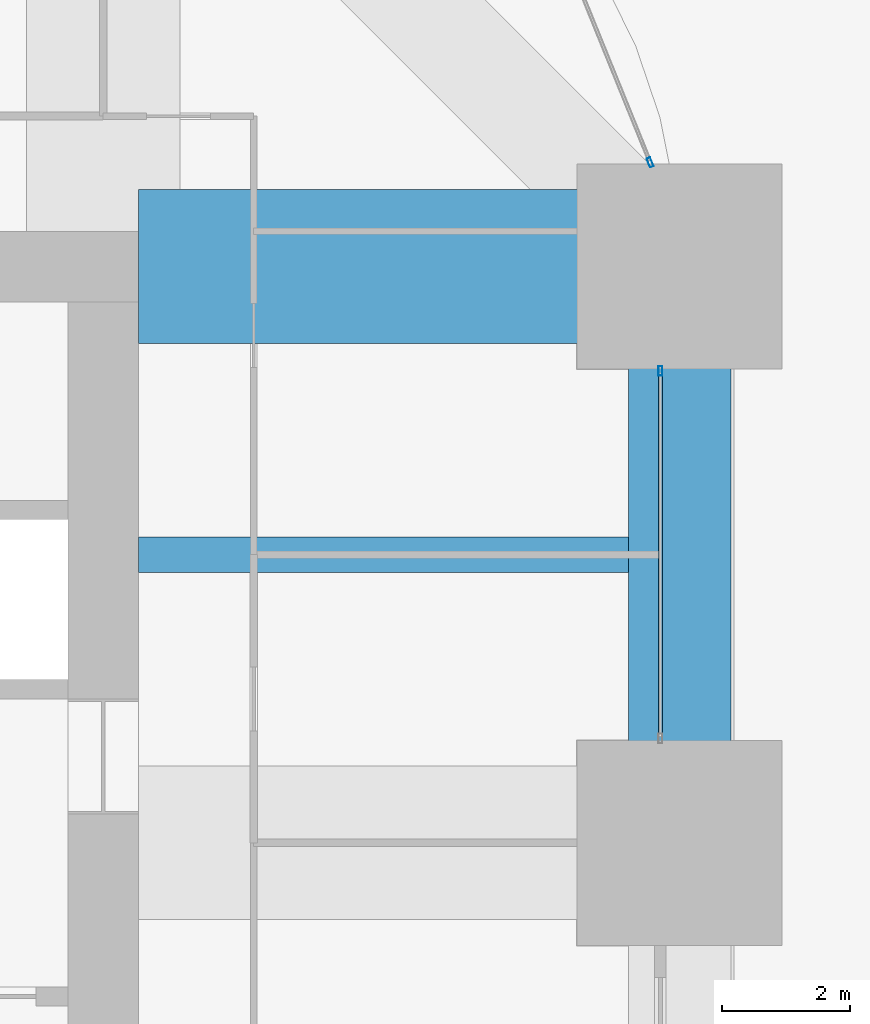
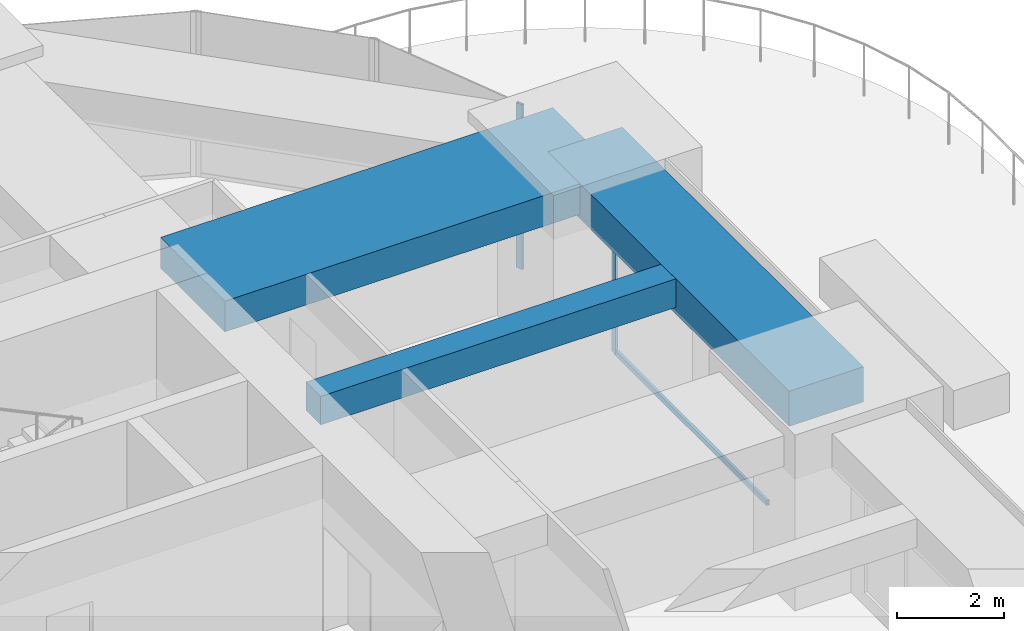
# One storey, part 28 of 35: 3 beams, 3 members, 2 elements without a shape of their own.
"""IFC4 building model written with IfcOpenShell, lengths in metres."""

from ifc_helpers import new_model, si_unit, direction, frame, origin, origin_2d, place, context, subcontext, project, spatial, rectangle, hollow_rectangle, extrude, material, material_profile, profile_set, type_object, element, aggregate, save


model = new_model("IFC4")

# Units and contexts
model_context = context("Model", 3, precision=1e-05, world=origin(), true_north=direction((0.0, 1.0)))
body_context = subcontext(model_context, "Body", "Model", "MODEL_VIEW")
ifc_project = project(units=[si_unit("LENGTHUNIT", "METRE"), si_unit("AREAUNIT", "SQUARE_METRE"), si_unit("VOLUMEUNIT", "CUBIC_METRE"), si_unit("PLANEANGLEUNIT", "RADIAN"), si_unit("MASSUNIT", "GRAM", prefix="KILO")], contexts=[model_context])

# Site, building, storey
site_placement = place(None, origin())
site = spatial("IfcSite", under=ifc_project, at=site_placement, CompositionType="ELEMENT")
building_placement = place(site_placement, origin())
building = spatial("IfcBuilding", under=site, at=building_placement, Name="Zorevar Civic Tower", CompositionType="ELEMENT")
storey_placement = place(building_placement, frame((0.0, 0.0, 162.199951171875)))
storey = spatial("IfcBuildingStorey", under=building, at=storey_placement, Name="L39", CompositionType="ELEMENT", Elevation=162.199951171875)

# Beams
ifc_material_1 = material(Name="Concrete C50/60", Category="concrete")
ifc_material_profile_1 = material_profile(ifc_material_1, rectangle(XDim=2.39990234375, YDim=0.699951171875, at=origin_2d()), Name="RC 2400x700")
ifc_profile_set_1 = profile_set([ifc_material_profile_1], Name="Concrete C50/60")
beam_type_1 = type_object("IfcBeamType", Name="Beam RC 2400x700", PredefinedType="BEAM", material=ifc_profile_set_1)
beam_1_placement = place(storey_placement, frame((45.550048828125, 36.0, 3.400146484375), z_axis=(1.0, 0.0, 0.0), x_axis=(0.0, 1.0, 0.0)))
element("IfcBeam", 1, at=beam_1_placement, inside=storey, type_object=beam_type_1, Name="Girder L40", PredefinedType="BEAM", context=body_context, shape_type="SweptSolid", body=[
    extrude(rectangle(XDim=2.39990234375, YDim=0.699951171875, at=origin_2d()), origin(), (0.0, 0.0, 1.0), 8.449951171875),
])
ifc_material_2 = material(Name="Concrete C50/60", Category="concrete")
ifc_material_profile_2 = material_profile(ifc_material_2, rectangle(XDim=0.550048828125, YDim=0.64990234375, at=origin_2d()), Name="RC 550x650")
ifc_profile_set_2 = profile_set([ifc_material_profile_2], Name="Concrete C50/60")
beam_type_2 = type_object("IfcBeamType", Name="Beam RC 550x650", PredefinedType="BEAM", material=ifc_profile_set_2)
beam_2_placement = place(storey_placement, frame((45.550048828125, 31.5, 3.425048828125), z_axis=(1.0, 0.0, 0.0), x_axis=(0.0, 1.0, 0.0)))
element("IfcBeam", 2, at=beam_2_placement, inside=storey, type_object=beam_type_2, Name="Secondary beam L40", PredefinedType="BEAM", context=body_context, shape_type="SweptSolid", body=[
    extrude(rectangle(XDim=0.550048828125, YDim=0.64990234375, at=origin_2d()), origin(), (0.0, 0.0, 1.0), 7.64990234375),
])

# Curtain wall, member
ifc_material_3 = material(Name="Dark grey solar-control glass in black aluminium frame", Category="aluminium")
curtain_wall_type = type_object("IfcCurtainWallType", Name="Curtain wall CW4 high zone", PredefinedType="NOTDEFINED", material=ifc_material_3)
curtain_wall_1_placement = place(storey_placement, origin())
curtain_wall_1 = element("IfcCurtainWall", 3, at=curtain_wall_1_placement, inside=storey, type_object=curtain_wall_type, Name="CW4 L39", PredefinedType="NOTDEFINED")
ifc_material_4 = material(Name="Aluminium, black anodised", Category="aluminium")
ifc_material_profile_3 = material_profile(ifc_material_4, hollow_rectangle(XDim=0.06005859375, YDim=0.14990234375, WallThickness=0.00390625, at=origin_2d()), Name="AL 150x60x4")
ifc_profile_set_3 = profile_set([ifc_material_profile_3], Name="Aluminium, black anodised")
member_type_1 = type_object("IfcMemberType", Name="CW4 mullion AL 150x60x4", PredefinedType="MULLION", material=ifc_profile_set_3)
member_1_placement = place(storey_placement, frame((53.699951171875, 34.3701171875, 0.0), z_axis=(0.0, 0.0, 1.0), x_axis=(-1.0, 0.0, 0.0)))
member_1 = element("IfcMember", 4, at=member_1_placement, type_object=member_type_1, Name="CW4 mullion 2", PredefinedType="MULLION", context=body_context, shape_type="SweptSolid", body=[
    extrude(hollow_rectangle(XDim=0.06005859375, YDim=0.14990234375, WallThickness=0.00390625, at=origin_2d()), origin(), (0.0, 0.0, 1.0), 2.949951171875),
])

curtain_wall_2_placement = place(storey_placement, origin())
curtain_wall_2 = element("IfcCurtainWall", 5, at=curtain_wall_2_placement, inside=storey, type_object=curtain_wall_type, Name="CW4 L39", PredefinedType="NOTDEFINED")
member_2_placement = place(storey_placement, frame((53.540283203125, 37.627685546875, 0.0), z_axis=(0.0, 0.0, 1.0), x_axis=(-0.926761540227, -0.375650166453, 0.0)))
member_2 = element("IfcMember", 6, at=member_2_placement, type_object=member_type_1, Name="CW4 mullion 1", PredefinedType="MULLION", context=body_context, shape_type="SweptSolid", body=[
    extrude(hollow_rectangle(XDim=0.06005859375, YDim=0.14990234375, WallThickness=0.00390625, at=origin_2d()), origin(), (0.0, 0.0, 1.0), 3.75),
])
aggregate(curtain_wall_2, [member_2])

# Member
ifc_material_5 = material(Name="Aluminium, black anodised", Category="aluminium")
ifc_material_profile_4 = material_profile(ifc_material_5, hollow_rectangle(XDim=0.06005859375, YDim=0.1201171875, WallThickness=0.0029296875, at=origin_2d()), Name="AL 120x60x3")
ifc_profile_set_4 = profile_set([ifc_material_profile_4], Name="Aluminium, black anodised")
member_type_2 = type_object("IfcMemberType", Name="CW4 transom AL 120x60x3", PredefinedType="USERDEFINED", material=ifc_profile_set_4)
member_3_placement = place(storey_placement, frame((53.699951171875, 28.659912109375, 0.030029296875), z_axis=(0.0, 1.0, 0.0), x_axis=(-1.0, 0.0, 0.0)))
member_3 = element("IfcMember", 7, at=member_3_placement, type_object=member_type_2, Name="CW4 sill transom", ObjectType="TRANSOM", PredefinedType="USERDEFINED", context=body_context, shape_type="SweptSolid", body=[
    extrude(hollow_rectangle(XDim=0.06005859375, YDim=0.1201171875, WallThickness=0.0029296875, at=origin_2d()), origin(), (0.0, 0.0, 1.0), 5.68017578125),
])

aggregate(curtain_wall_1, [member_1, member_3])

# Beam
ifc_material_6 = material(Name="Concrete C50/60", Category="concrete")
ifc_material_profile_5 = material_profile(ifc_material_6, rectangle(XDim=1.60009765625, YDim=0.800048828125, at=origin_2d()), Name="RC 1600x800")
ifc_profile_set_5 = profile_set([ifc_material_profile_5], Name="Concrete C50/60")
beam_type_3 = type_object("IfcBeamType", Name="Edge beam RC 1600x800", PredefinedType="SPANDREL", material=ifc_profile_set_5)
beam_3_placement = place(storey_placement, frame((54.0, 27.0, 3.35009765625), z_axis=(0.0, 1.0, 0.0), x_axis=(-1.0, 0.0, 0.0)))
element("IfcBeam", 8, at=beam_3_placement, inside=storey, type_object=beam_type_3, Name="Edge beam L40", PredefinedType="SPANDREL", context=body_context, shape_type="SweptSolid", body=[
    extrude(rectangle(XDim=1.60009765625, YDim=0.800048828125, at=origin_2d()), origin(), (0.0, 0.0, 1.0), 9.0),
])

save(model, "model.ifc")
